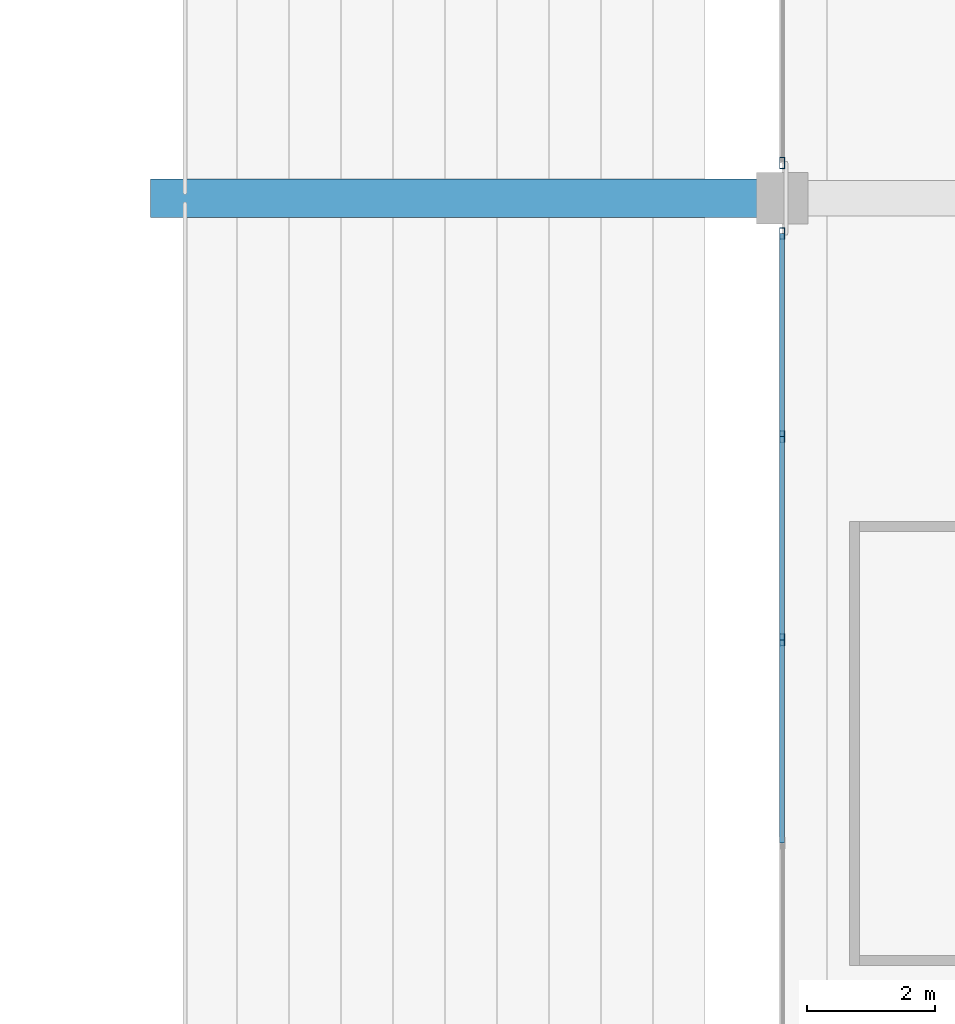
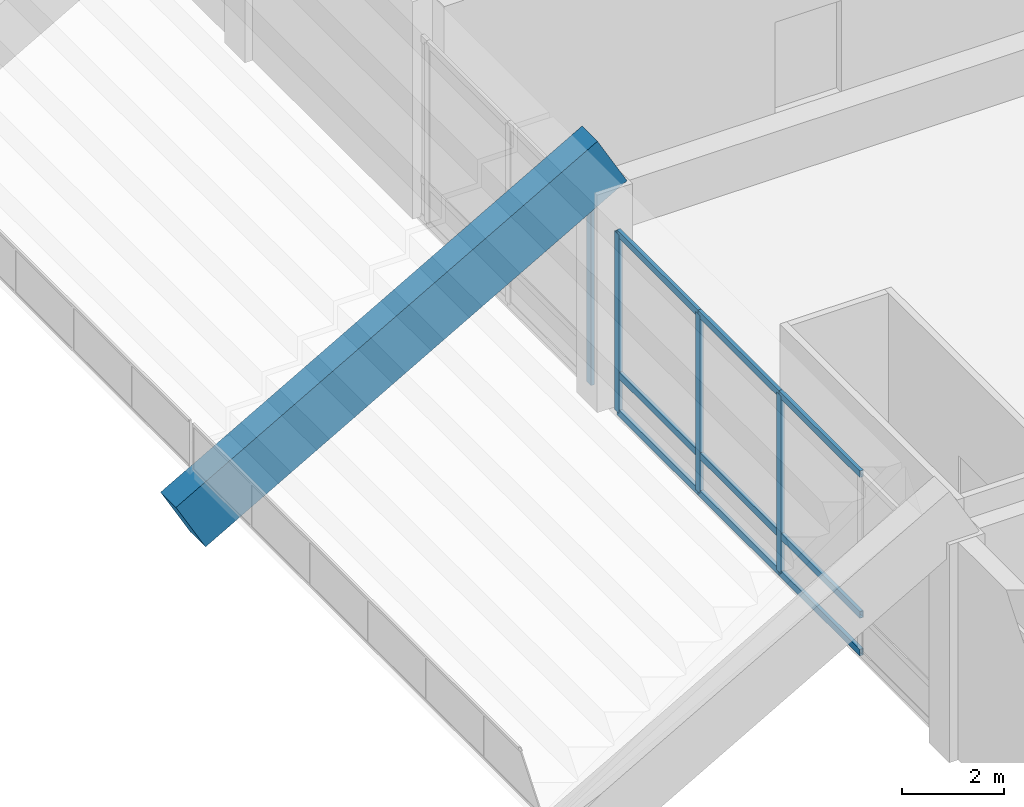
# One storey, part 40 of 90: 13 members, 1 beam, 2 elements without a shape of their own.
"""IFC4 building model written with IfcOpenShell, lengths in metres."""

from ifc_helpers import new_model, si_unit, direction, frame, origin, origin_2d, place, context, subcontext, project, spatial, rectangle, hollow_rectangle, extrude, material, material_profile, profile_set, type_object, element, aggregate, save


model = new_model("IFC4")

# Units and contexts
model_context = context("Model", 3, precision=1e-05, world=origin(), true_north=direction((0.0, 1.0)))
body_context = subcontext(model_context, "Body", "Model", "MODEL_VIEW")
ifc_project = project(units=[si_unit("LENGTHUNIT", "METRE"), si_unit("AREAUNIT", "SQUARE_METRE"), si_unit("VOLUMEUNIT", "CUBIC_METRE"), si_unit("PLANEANGLEUNIT", "RADIAN"), si_unit("MASSUNIT", "GRAM", prefix="KILO")], contexts=[model_context])

# Site, building, storey
site_placement = place(None, origin())
site = spatial("IfcSite", under=ifc_project, at=site_placement, CompositionType="ELEMENT")
building_placement = place(site_placement, origin())
building = spatial("IfcBuilding", under=site, at=building_placement, Name="Linyun Crest Stadium", CompositionType="ELEMENT")
storey_placement = place(building_placement, frame((0.0, 0.0, 21.0)))
storey = spatial("IfcBuildingStorey", under=building, at=storey_placement, Name="L05", CompositionType="ELEMENT", Elevation=21.0)

# Curtain wall, members
ifc_material_1 = material(Name="Verdigris steel and low-E curtain wall assembly", Category="steel")
curtain_wall_type = type_object("IfcCurtainWallType", Name="MCW01", PredefinedType="NOTDEFINED", material=ifc_material_1)
curtain_wall_1_placement = place(storey_placement, origin())
curtain_wall_1 = element("IfcCurtainWall", 1, at=curtain_wall_1_placement, inside=storey, type_object=curtain_wall_type, Name="CWR-117", PredefinedType="NOTDEFINED")
ifc_material_2 = material(Name="Verdigris painted steel Q355B mullion", Category="steel")
ifc_material_profile_1 = material_profile(ifc_material_2, hollow_rectangle(XDim=0.080078125, YDim=0.179931640625, WallThickness=0.006103515625, at=origin_2d()), Name="RHS 180x80x6")
ifc_profile_set_1 = profile_set([ifc_material_profile_1], Name="Verdigris painted steel Q355B mullion")
member_type_1 = type_object("IfcMemberType", Name="ML02", PredefinedType="MULLION", material=ifc_profile_set_1)
member_1_placement = place(storey_placement, frame((70.0, 22.75, 0.0), z_axis=(0.0, 0.0, 1.0), x_axis=(-1.0, 0.0, 0.0)))
member_1 = element("IfcMember", 2, at=member_1_placement, type_object=member_type_1, Name="CWR-117 mullion 3", PredefinedType="MULLION", context=body_context, shape_type="SweptSolid", body=[
    extrude(hollow_rectangle(XDim=0.080078125, YDim=0.179931640625, WallThickness=0.006103515625, at=origin_2d()), origin(), (0.0, 0.0, 1.0), 4.25),
])
member_2_placement = place(storey_placement, frame((70.0, 25.912109375, 0.0), z_axis=(0.0, 0.0, 1.0), x_axis=(-1.0, 0.0, 0.0)))
member_2 = element("IfcMember", 3, at=member_2_placement, type_object=member_type_1, Name="CWR-117 mullion 4", PredefinedType="MULLION", context=body_context, shape_type="SweptSolid", body=[
    extrude(hollow_rectangle(XDim=0.080078125, YDim=0.179931640625, WallThickness=0.006103515625, at=origin_2d()), origin(), (0.0, 0.0, 1.0), 4.25),
])
member_3_placement = place(storey_placement, frame((70.0, 29.074951171875, 0.0), z_axis=(0.0, 0.0, 1.0), x_axis=(-1.0, 0.0, 0.0)))
member_3 = element("IfcMember", 4, at=member_3_placement, type_object=member_type_1, Name="CWR-117 mullion 5", PredefinedType="MULLION", context=body_context, shape_type="SweptSolid", body=[
    extrude(hollow_rectangle(XDim=0.080078125, YDim=0.179931640625, WallThickness=0.006103515625, at=origin_2d()), origin(), (0.0, 0.0, 1.0), 4.25),
])

# Curtain wall, member
curtain_wall_2_placement = place(storey_placement, origin())
curtain_wall_2 = element("IfcCurtainWall", 5, at=curtain_wall_2_placement, inside=storey, type_object=curtain_wall_type, Name="CWR-126", PredefinedType="NOTDEFINED")
member_4_placement = place(storey_placement, frame((70.0, 30.175048828125, 0.0), z_axis=(0.0, 0.0, 1.0), x_axis=(-1.0, 0.0, 0.0)))
member_4 = element("IfcMember", 6, at=member_4_placement, type_object=member_type_1, Name="CWR-126 mullion 1", PredefinedType="MULLION", context=body_context, shape_type="SweptSolid", body=[
    extrude(hollow_rectangle(XDim=0.080078125, YDim=0.179931640625, WallThickness=0.006103515625, at=origin_2d()), origin(), (0.0, 0.0, 1.0), 4.25),
])
aggregate(curtain_wall_2, [member_4])

# Beam
ifc_material_3 = material(Name="Precast concrete C50", Category="concrete")
ifc_material_profile_2 = material_profile(ifc_material_3, rectangle(XDim=0.60009765625, YDim=1.35009765625, at=origin_2d()), Name="PCR 1350x600")
ifc_profile_set_2 = profile_set([ifc_material_profile_2], Name="Precast concrete C50")
beam_type = type_object("IfcBeamType", Name="RB03", PredefinedType="USERDEFINED", material=ifc_profile_set_2)
beam_placement = place(storey_placement, frame((60.5, 29.625, 0.39990234375), z_axis=(0.869361451527, 0.0, 0.494176756433), x_axis=(0.0, 1.0, 0.0)))
element("IfcBeam", 7, at=beam_placement, inside=storey, type_object=beam_type, Name="Precast raker beam RB03 V2 56", ObjectType="RAKER", PredefinedType="USERDEFINED", context=body_context, shape_type="SweptSolid", body=[
    extrude(rectangle(XDim=0.60009765625, YDim=1.35009765625, at=origin_2d()), origin(), (0.0, 0.0, 1.0), 10.927490234375),
])

# Member
ifc_material_4 = material(Name="Aluminium thermally broken transom", Category="aluminium")
ifc_material_profile_3 = material_profile(ifc_material_4, hollow_rectangle(XDim=0.080078125, YDim=0.159912109375, WallThickness=0.006103515625, at=origin_2d()), Name="RHS 160x80x6")
ifc_profile_set_3 = profile_set([ifc_material_profile_3], Name="Aluminium thermally broken transom")
member_type_2 = type_object("IfcMemberType", Name="TR01", PredefinedType="USERDEFINED", material=ifc_profile_set_3)
member_5_placement = place(storey_placement, frame((70.0, 19.587890625, 0.0), z_axis=(0.0, 1.0, 0.0), x_axis=(-1.0, 0.0, 0.0)))
member_5 = element("IfcMember", 8, at=member_5_placement, type_object=member_type_2, Name="CWR-117 transom 2.1", ObjectType="TRANSOM", PredefinedType="USERDEFINED", context=body_context, shape_type="SweptSolid", body=[
    extrude(hollow_rectangle(XDim=0.080078125, YDim=0.159912109375, WallThickness=0.006103515625, at=origin_2d()), origin(), (0.0, 0.0, 1.0), 3.162109375),
])

member_6_placement = place(storey_placement, frame((70.0, 19.587890625, 0.89990234375), z_axis=(0.0, 1.0, 0.0), x_axis=(-1.0, 0.0, 0.0)))
member_6 = element("IfcMember", 9, at=member_6_placement, type_object=member_type_2, Name="CWR-117 transom 2.2", ObjectType="TRANSOM", PredefinedType="USERDEFINED", context=body_context, shape_type="SweptSolid", body=[
    extrude(hollow_rectangle(XDim=0.080078125, YDim=0.159912109375, WallThickness=0.006103515625, at=origin_2d()), origin(), (0.0, 0.0, 1.0), 3.162109375),
])

member_7_placement = place(storey_placement, frame((70.0, 19.587890625, 4.25), z_axis=(0.0, 1.0, 0.0), x_axis=(-1.0, 0.0, 0.0)))
member_7 = element("IfcMember", 10, at=member_7_placement, type_object=member_type_2, Name="CWR-117 transom 2.3", ObjectType="TRANSOM", PredefinedType="USERDEFINED", context=body_context, shape_type="SweptSolid", body=[
    extrude(hollow_rectangle(XDim=0.080078125, YDim=0.159912109375, WallThickness=0.006103515625, at=origin_2d()), origin(), (0.0, 0.0, 1.0), 3.162109375),
])

member_8_placement = place(storey_placement, frame((70.0, 22.75, 0.0), z_axis=(0.0, 1.0, 0.0), x_axis=(-1.0, 0.0, 0.0)))
member_8 = element("IfcMember", 11, at=member_8_placement, type_object=member_type_2, Name="CWR-117 transom 3.1", ObjectType="TRANSOM", PredefinedType="USERDEFINED", context=body_context, shape_type="SweptSolid", body=[
    extrude(hollow_rectangle(XDim=0.080078125, YDim=0.159912109375, WallThickness=0.006103515625, at=origin_2d()), origin(), (0.0, 0.0, 1.0), 3.162109375),
])

member_9_placement = place(storey_placement, frame((70.0, 22.75, 0.89990234375), z_axis=(0.0, 1.0, 0.0), x_axis=(-1.0, 0.0, 0.0)))
member_9 = element("IfcMember", 12, at=member_9_placement, type_object=member_type_2, Name="CWR-117 transom 3.2", ObjectType="TRANSOM", PredefinedType="USERDEFINED", context=body_context, shape_type="SweptSolid", body=[
    extrude(hollow_rectangle(XDim=0.080078125, YDim=0.159912109375, WallThickness=0.006103515625, at=origin_2d()), origin(), (0.0, 0.0, 1.0), 3.162109375),
])

member_10_placement = place(storey_placement, frame((70.0, 22.75, 4.25), z_axis=(0.0, 1.0, 0.0), x_axis=(-1.0, 0.0, 0.0)))
member_10 = element("IfcMember", 13, at=member_10_placement, type_object=member_type_2, Name="CWR-117 transom 3.3", ObjectType="TRANSOM", PredefinedType="USERDEFINED", context=body_context, shape_type="SweptSolid", body=[
    extrude(hollow_rectangle(XDim=0.080078125, YDim=0.159912109375, WallThickness=0.006103515625, at=origin_2d()), origin(), (0.0, 0.0, 1.0), 3.162109375),
])

member_11_placement = place(storey_placement, frame((70.0, 25.912109375, 0.0), z_axis=(0.0, 1.0, 0.0), x_axis=(-1.0, 0.0, 0.0)))
member_11 = element("IfcMember", 14, at=member_11_placement, type_object=member_type_2, Name="CWR-117 transom 4.1", ObjectType="TRANSOM", PredefinedType="USERDEFINED", context=body_context, shape_type="SweptSolid", body=[
    extrude(hollow_rectangle(XDim=0.080078125, YDim=0.159912109375, WallThickness=0.006103515625, at=origin_2d()), origin(), (0.0, 0.0, 1.0), 3.162841796875),
])

member_12_placement = place(storey_placement, frame((70.0, 25.912109375, 0.89990234375), z_axis=(0.0, 1.0, 0.0), x_axis=(-1.0, 0.0, 0.0)))
member_12 = element("IfcMember", 15, at=member_12_placement, type_object=member_type_2, Name="CWR-117 transom 4.2", ObjectType="TRANSOM", PredefinedType="USERDEFINED", context=body_context, shape_type="SweptSolid", body=[
    extrude(hollow_rectangle(XDim=0.080078125, YDim=0.159912109375, WallThickness=0.006103515625, at=origin_2d()), origin(), (0.0, 0.0, 1.0), 3.162841796875),
])

member_13_placement = place(storey_placement, frame((70.0, 25.912109375, 4.25), z_axis=(0.0, 1.0, 0.0), x_axis=(-1.0, 0.0, 0.0)))
member_13 = element("IfcMember", 16, at=member_13_placement, type_object=member_type_2, Name="CWR-117 transom 4.3", ObjectType="TRANSOM", PredefinedType="USERDEFINED", context=body_context, shape_type="SweptSolid", body=[
    extrude(hollow_rectangle(XDim=0.080078125, YDim=0.159912109375, WallThickness=0.006103515625, at=origin_2d()), origin(), (0.0, 0.0, 1.0), 3.162841796875),
])

aggregate(curtain_wall_1, [member_1, member_2, member_3, member_5, member_6, member_7, member_8, member_9, member_10, member_11, member_12, member_13])

save(model, "model.ifc")
